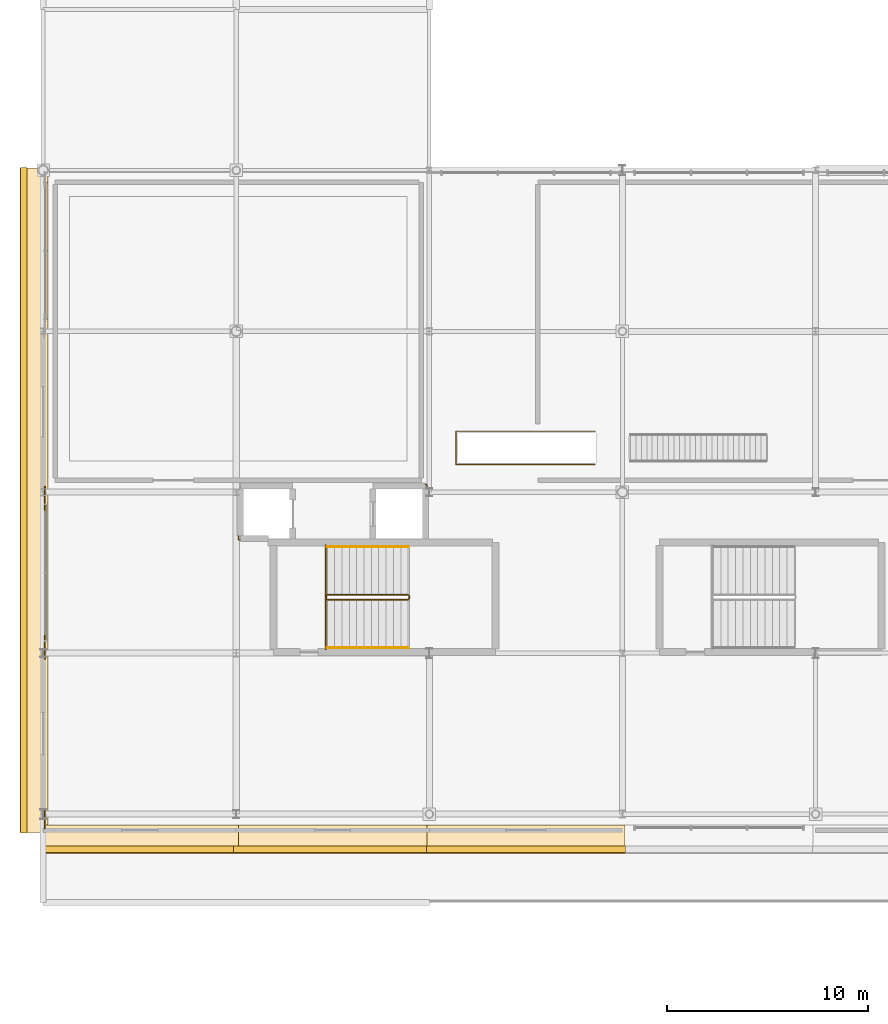
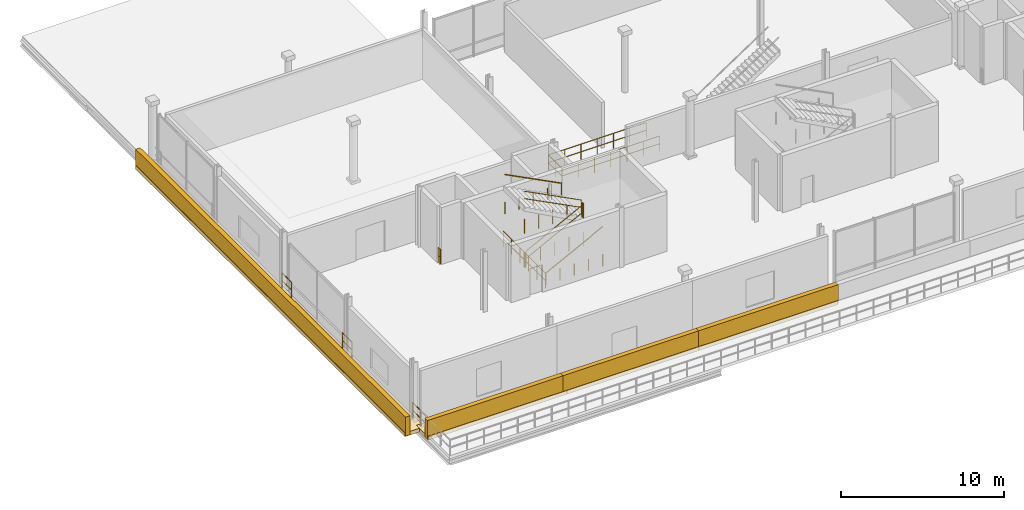
# One storey, part 29 of 36: 13 railings, 8 coverings.
"""IFC4 building model written with IfcOpenShell, lengths in metres."""

from ifc_helpers import new_model, si_unit, direction, frame, origin, origin_2d, place, context, subcontext, project, spatial, rectangle, circle, extrude, material, layer, layer_set, type_object, element, save


model = new_model("IFC4")

# Units and contexts
model_context = context("Model", 3, precision=1e-05, world=origin(), true_north=direction((0.0, 1.0)))
body_context = subcontext(model_context, "Body", "Model", "MODEL_VIEW")
ifc_project = project(units=[si_unit("LENGTHUNIT", "METRE"), si_unit("AREAUNIT", "SQUARE_METRE"), si_unit("VOLUMEUNIT", "CUBIC_METRE"), si_unit("PLANEANGLEUNIT", "RADIAN"), si_unit("MASSUNIT", "GRAM", prefix="KILO")], contexts=[model_context])

# Site, building, storey
site_placement = place(None, origin())
site = spatial("IfcSite", under=ifc_project, at=site_placement, CompositionType="ELEMENT")
building_placement = place(site_placement, origin())
building = spatial("IfcBuilding", under=site, at=building_placement, Name="Danafjord Basin Convention Centre", CompositionType="ELEMENT")
storey_placement = place(building_placement, frame((0.0, 0.0, 20.39990234375)))
storey = spatial("IfcBuildingStorey", under=building, at=storey_placement, Name="L04", CompositionType="ELEMENT", Elevation=20.39990234375)

# Coverings
ifc_material_1 = material(Name="Architectural white precast concrete C45/55", Category="concrete")
ifc_layer = layer(ifc_material_1, 0.320068359375)
ifc_layer_set = layer_set([ifc_layer], Name="Architectural white precast concrete C45/55")
covering_type = type_object("IfcCoveringType", Name="COV-BAND-HORIZ", PredefinedType="CLADDING", material=ifc_layer_set)
covering_1_placement = place(storey_placement, frame((4.800048828125, 6.75, -0.27978515625), z_axis=(0.0, 0.0, 1.0), x_axis=(1.0, 0.0, 0.0)))
element("IfcCovering", 1, at=covering_1_placement, inside=storey, type_object=covering_type, Name="L04 stepped horizontal band soffit plate 37", PredefinedType="CLADDING", context=body_context, shape_type="SweptSolid", body=[
    extrude(rectangle(XDim=9.840087890625, YDim=1.39990234375, at=origin_2d()), origin(), (0.0, 0.0, 1.0), 0.280029296875),
])
covering_2_placement = place(storey_placement, frame((4.800048828125, 6.239990234375, -0.23974609375), z_axis=(0.0, 0.0, 1.0), x_axis=(1.0, 0.0, 0.0)))
element("IfcCovering", 2, at=covering_2_placement, inside=storey, type_object=covering_type, Name="L04 layered horizontal white spandrel band 37", PredefinedType="CLADDING", context=body_context, shape_type="SweptSolid", body=[
    extrude(rectangle(XDim=9.8798828125, YDim=0.320068359375, at=origin_2d()), origin(), (0.0, 0.0, 1.0), 1.419921875),
])
covering_3_placement = place(storey_placement, frame((14.39990234375, 6.75, -0.27978515625), z_axis=(0.0, 0.0, 1.0), x_axis=(1.0, 0.0, 0.0)))
element("IfcCovering", 3, at=covering_3_placement, inside=storey, type_object=covering_type, Name="L04 stepped horizontal band soffit plate 38", PredefinedType="CLADDING", context=body_context, shape_type="SweptSolid", body=[
    extrude(rectangle(XDim=9.840087890625, YDim=1.39990234375, at=origin_2d()), origin(), (0.0, 0.0, 1.0), 0.280029296875),
])
covering_4_placement = place(storey_placement, frame((14.39990234375, 6.239990234375, -0.23974609375), z_axis=(0.0, 0.0, 1.0), x_axis=(1.0, 0.0, 0.0)))
element("IfcCovering", 4, at=covering_4_placement, inside=storey, type_object=covering_type, Name="L04 layered horizontal white spandrel band 38", PredefinedType="CLADDING", context=body_context, shape_type="SweptSolid", body=[
    extrude(rectangle(XDim=9.8798828125, YDim=0.320068359375, at=origin_2d()), origin(), (0.0, 0.0, 1.0), 1.419921875),
])
covering_5_placement = place(storey_placement, frame((24.0, 6.75, -0.27978515625), z_axis=(0.0, 0.0, 1.0), x_axis=(1.0, 0.0, 0.0)))
element("IfcCovering", 5, at=covering_5_placement, inside=storey, type_object=covering_type, Name="L04 stepped horizontal band soffit plate 39", PredefinedType="CLADDING", context=body_context, shape_type="SweptSolid", body=[
    extrude(rectangle(XDim=9.840087890625, YDim=1.39990234375, at=origin_2d()), origin(), (0.0, 0.0, 1.0), 0.280029296875),
])
covering_6_placement = place(storey_placement, frame((24.0, 6.239990234375, -0.23974609375), z_axis=(0.0, 0.0, 1.0), x_axis=(1.0, 0.0, 0.0)))
element("IfcCovering", 6, at=covering_6_placement, inside=storey, type_object=covering_type, Name="L04 layered horizontal white spandrel band 39", PredefinedType="CLADDING", context=body_context, shape_type="SweptSolid", body=[
    extrude(rectangle(XDim=9.8798828125, YDim=0.320068359375, at=origin_2d()), origin(), (0.0, 0.0, 1.0), 1.419921875),
])
covering_7_placement = place(storey_placement, frame((-0.449951171875, 23.60009765625, -0.27978515625), z_axis=(0.0, 0.0, 1.0), x_axis=(0.0, -1.0, 0.0)))
element("IfcCovering", 7, at=covering_7_placement, inside=storey, type_object=covering_type, Name="L04 stepped horizontal band soffit plate 48", PredefinedType="CLADDING", context=body_context, shape_type="SweptSolid", body=[
    extrude(rectangle(XDim=33.0400390625, YDim=1.39990234375, at=origin_2d()), origin(), (0.0, 0.0, 1.0), 0.280029296875),
])
covering_8_placement = place(storey_placement, frame((-0.9599609375, 23.60009765625, -0.23974609375), z_axis=(0.0, 0.0, 1.0), x_axis=(0.0, -1.0, 0.0)))
element("IfcCovering", 8, at=covering_8_placement, inside=storey, type_object=covering_type, Name="L04 layered horizontal white spandrel band 48", PredefinedType="CLADDING", context=body_context, shape_type="SweptSolid", body=[
    extrude(rectangle(XDim=33.080078125, YDim=0.320068359375, at=origin_2d()), origin(), (0.0, 0.0, 1.0), 1.419921875),
])

# Railings
ifc_material_2 = material(Name="Laminated structural glass and stainless steel", Category="steel")
railing_type_1 = type_object("IfcRailingType", Name="RL-BAL-GLS", PredefinedType="BALUSTRADE", material=ifc_material_2)
railing_1_placement = place(storey_placement, frame((0.080078125, 7.27490234375, 0.0)))
element("IfcRailing", 9, at=railing_1_placement, inside=storey, type_object=railing_type_1, Name="L04 safety guard balustrade 288", PredefinedType="BALUSTRADE", context=body_context, shape_type="SweptSolid", body=[
    extrude(circle(Radius=0.02392578125, at=origin_2d()), frame((0.0, 0.0, 1.1259765625), z_axis=(0.0, 1.0, 0.0), x_axis=(-1.0, 0.0, 0.0)), (0.0, 0.0, 1.0), 1.005126953125),
    extrude(circle(Radius=0.02392578125, at=origin_2d()), frame((0.0, 0.0, 0.55078125), z_axis=(0.0, 1.0, 0.0), x_axis=(-1.0, 0.0, 0.0)), (0.0, 0.0, 1.0), 1.005126953125),
    extrude(circle(Radius=0.02099609375, at=origin_2d()), origin(), (0.0, 0.0, 1.0), 1.099853515625),
    extrude(circle(Radius=0.02099609375, at=origin_2d()), frame((0.0, 1.005126953125, 0.0)), (0.0, 0.0, 1.0), 1.099853515625),
])
for number, where, name in (
    (10, (0.080078125, 15.719970703125, 0.0), "L04 safety guard balustrade 289"),
    (11, (0.080078125, 23.1201171875, 0.0), "L04 safety guard balustrade 290"),
):
    element("IfcRailing", number, at=place(storey_placement, frame(where)), inside=storey, type_object=railing_type_1, Name=name, PredefinedType="BALUSTRADE", context=body_context, shape_type="SweptSolid", body=[
        extrude(circle(Radius=0.02392578125, at=origin_2d()), frame((0.0, 0.0, 1.1259765625), z_axis=(0.0, 1.0, 0.0), x_axis=(-1.0, 0.0, 0.0)), (0.0, 0.0, 1.0), 1.159912109375),
        extrude(circle(Radius=0.02392578125, at=origin_2d()), frame((0.0, 0.0, 0.55078125), z_axis=(0.0, 1.0, 0.0), x_axis=(-1.0, 0.0, 0.0)), (0.0, 0.0, 1.0), 1.159912109375),
        extrude(circle(Radius=0.02099609375, at=origin_2d()), origin(), (0.0, 0.0, 1.0), 1.099853515625),
        extrude(circle(Radius=0.02099609375, at=origin_2d()), frame((0.0, 1.159912109375, 0.0)), (0.0, 0.0, 1.0), 1.099853515625),
    ])
railing_2_placement = place(storey_placement, frame((27.43505859375, 27.030029296875, 0.0)))
element("IfcRailing", 12, at=railing_2_placement, inside=storey, type_object=railing_type_1, Name="L04 safety guard balustrade 304", PredefinedType="BALUSTRADE", context=body_context, shape_type="SweptSolid", body=[
    extrude(circle(Radius=0.02392578125, at=origin_2d()), frame((0.0, 0.0, 1.1259765625), z_axis=(-1.0, 0.0, 0.0), x_axis=(0.0, -1.0, 0.0)), (0.0, 0.0, 1.0), 6.9150390625),
    extrude(circle(Radius=0.02392578125, at=origin_2d()), frame((0.0, 0.0, 0.55078125), z_axis=(-1.0, 0.0, 0.0), x_axis=(0.0, -1.0, 0.0)), (0.0, 0.0, 1.0), 6.9150390625),
    extrude(circle(Radius=0.02392578125, at=origin_2d()), frame((-6.9150390625, 0.0, 1.1259765625), z_axis=(0.0, -1.0, 0.0), x_axis=(1.0, 0.0, 0.0)), (0.0, 0.0, 1.0), 1.659912109375),
    extrude(circle(Radius=0.02392578125, at=origin_2d()), frame((-6.9150390625, 0.0, 0.55078125), z_axis=(0.0, -1.0, 0.0), x_axis=(1.0, 0.0, 0.0)), (0.0, 0.0, 1.0), 1.659912109375),
    extrude(circle(Radius=0.02392578125, at=origin_2d()), frame((-6.9150390625, -1.659912109375, 1.1259765625), z_axis=(1.0, 0.0, 0.0), x_axis=(0.0, 1.0, 0.0)), (0.0, 0.0, 1.0), 6.9150390625),
    extrude(circle(Radius=0.02392578125, at=origin_2d()), frame((-6.9150390625, -1.659912109375, 0.55078125), z_axis=(1.0, 0.0, 0.0), x_axis=(0.0, 1.0, 0.0)), (0.0, 0.0, 1.0), 6.9150390625),
    extrude(circle(Radius=0.02099609375, at=origin_2d()), origin(), (0.0, 0.0, 1.0), 1.099853515625),
    extrude(circle(Radius=0.02099609375, at=origin_2d()), frame((-1.152587890625, 0.0, 0.0)), (0.0, 0.0, 1.0), 1.099853515625),
    extrude(circle(Radius=0.02099609375, at=origin_2d()), frame((-2.304931640625, 0.0, 0.0)), (0.0, 0.0, 1.0), 1.099853515625),
    extrude(circle(Radius=0.02099609375, at=origin_2d()), frame((-3.45751953125, 0.0, 0.0)), (0.0, 0.0, 1.0), 1.099853515625),
    extrude(circle(Radius=0.02099609375, at=origin_2d()), frame((-4.610107421875, 0.0, 0.0)), (0.0, 0.0, 1.0), 1.099853515625),
    extrude(circle(Radius=0.02099609375, at=origin_2d()), frame((-5.762451171875, 0.0, 0.0)), (0.0, 0.0, 1.0), 1.099853515625),
    extrude(circle(Radius=0.02099609375, at=origin_2d()), frame((-6.9150390625, 0.0, 0.0)), (0.0, 0.0, 1.0), 1.099853515625),
    extrude(circle(Radius=0.02099609375, at=origin_2d()), frame((-6.9150390625, -0.830078125, 0.0)), (0.0, 0.0, 1.0), 1.099853515625),
    extrude(circle(Radius=0.02099609375, at=origin_2d()), frame((-6.9150390625, -1.659912109375, 0.0)), (0.0, 0.0, 1.0), 1.099853515625),
    extrude(circle(Radius=0.02099609375, at=origin_2d()), frame((-5.762451171875, -1.659912109375, 0.0)), (0.0, 0.0, 1.0), 1.099853515625),
    extrude(circle(Radius=0.02099609375, at=origin_2d()), frame((-4.610107421875, -1.659912109375, 0.0)), (0.0, 0.0, 1.0), 1.099853515625),
    extrude(circle(Radius=0.02099609375, at=origin_2d()), frame((-3.45751953125, -1.659912109375, 0.0)), (0.0, 0.0, 1.0), 1.099853515625),
    extrude(circle(Radius=0.02099609375, at=origin_2d()), frame((-2.304931640625, -1.659912109375, 0.0)), (0.0, 0.0, 1.0), 1.099853515625),
    extrude(circle(Radius=0.02099609375, at=origin_2d()), frame((-1.152587890625, -1.659912109375, 0.0)), (0.0, 0.0, 1.0), 1.099853515625),
    extrude(circle(Radius=0.02099609375, at=origin_2d()), frame((0.0, -1.659912109375, 0.0)), (0.0, 0.0, 1.0), 1.099853515625),
])
railing_3_placement = place(storey_placement, frame((19.080078125, 24.1650390625, 0.0)))
element("IfcRailing", 13, at=railing_3_placement, inside=storey, type_object=railing_type_1, Name="L04 safety guard balustrade 306", PredefinedType="BALUSTRADE", context=body_context, shape_type="SweptSolid", body=[
    extrude(circle(Radius=0.02392578125, at=origin_2d()), frame((0.0, 0.0, 1.1259765625), z_axis=(0.0, 1.0, 0.0), x_axis=(-1.0, 0.0, 0.0)), (0.0, 0.0, 1.0), 0.21484375),
    extrude(circle(Radius=0.02392578125, at=origin_2d()), frame((0.0, 0.0, 0.55078125), z_axis=(0.0, 1.0, 0.0), x_axis=(-1.0, 0.0, 0.0)), (0.0, 0.0, 1.0), 0.21484375),
    extrude(circle(Radius=0.02392578125, at=origin_2d()), frame((0.0, 0.21484375, 1.1259765625), z_axis=(-1.0, 0.0, 0.0), x_axis=(0.0, -1.0, 0.0)), (0.0, 0.0, 1.0), 0.080078125),
    extrude(circle(Radius=0.02392578125, at=origin_2d()), frame((0.0, 0.21484375, 0.55078125), z_axis=(-1.0, 0.0, 0.0), x_axis=(0.0, -1.0, 0.0)), (0.0, 0.0, 1.0), 0.080078125),
    extrude(circle(Radius=0.02099609375, at=origin_2d()), origin(), (0.0, 0.0, 1.0), 1.099853515625),
    extrude(circle(Radius=0.02099609375, at=origin_2d()), frame((0.0, 0.21484375, 0.0)), (0.0, 0.0, 1.0), 1.099853515625),
    extrude(circle(Radius=0.02099609375, at=origin_2d()), frame((-0.080078125, 0.21484375, 0.0)), (0.0, 0.0, 1.0), 1.099853515625),
])
ifc_material_3 = material(Name="Galvanised and powder-coated steel S355", Category="steel")
railing_type_2 = type_object("IfcRailingType", Name="RL-BAL-STL", PredefinedType="BALUSTRADE", material=ifc_material_3)
railing_4_placement = place(storey_placement, frame((14.050048828125, 21.375, 0.0)))
element("IfcRailing", 14, at=railing_4_placement, inside=storey, type_object=railing_type_2, Name="L04 safety guard balustrade 305", PredefinedType="BALUSTRADE", context=body_context, shape_type="SweptSolid", body=[
    extrude(circle(Radius=0.02392578125, at=origin_2d()), frame((0.0, 0.0, 1.1259765625), z_axis=(0.0, -1.0, 0.0), x_axis=(1.0, 0.0, 0.0)), (0.0, 0.0, 1.0), 5.18994140625),
    extrude(circle(Radius=0.02392578125, at=origin_2d()), frame((0.0, 0.0, 0.55078125), z_axis=(0.0, -1.0, 0.0), x_axis=(1.0, 0.0, 0.0)), (0.0, 0.0, 1.0), 5.18994140625),
    extrude(circle(Radius=0.02099609375, at=origin_2d()), origin(), (0.0, 0.0, 1.0), 1.099853515625),
    extrude(circle(Radius=0.02099609375, at=origin_2d()), frame((0.0, -1.0380859375, 0.0)), (0.0, 0.0, 1.0), 1.099853515625),
    extrude(circle(Radius=0.02099609375, at=origin_2d()), frame((0.0, -2.075927734375, 0.0)), (0.0, 0.0, 1.0), 1.099853515625),
    extrude(circle(Radius=0.02099609375, at=origin_2d()), frame((0.0, -3.114013671875, 0.0)), (0.0, 0.0, 1.0), 1.099853515625),
    extrude(circle(Radius=0.02099609375, at=origin_2d()), frame((0.0, -4.15185546875, 0.0)), (0.0, 0.0, 1.0), 1.099853515625),
    extrude(circle(Radius=0.02099609375, at=origin_2d()), frame((0.0, -5.18994140625, 0.0)), (0.0, 0.0, 1.0), 1.099853515625),
])
railing_5_placement = place(storey_placement, frame((9.719970703125, 21.8349609375, 0.0)))
element("IfcRailing", 15, at=railing_5_placement, inside=storey, type_object=railing_type_2, Name="L04 safety guard balustrade 307", PredefinedType="BALUSTRADE", context=body_context, shape_type="SweptSolid", body=[
    extrude(circle(Radius=0.02392578125, at=origin_2d()), frame((0.0, 0.0, 1.1259765625), z_axis=(0.0, -1.0, 0.0), x_axis=(1.0, 0.0, 0.0)), (0.0, 0.0, 1.0), 0.21484375),
    extrude(circle(Radius=0.02392578125, at=origin_2d()), frame((0.0, 0.0, 0.55078125), z_axis=(0.0, -1.0, 0.0), x_axis=(1.0, 0.0, 0.0)), (0.0, 0.0, 1.0), 0.21484375),
    extrude(circle(Radius=0.02392578125, at=origin_2d()), frame((0.0, -0.21484375, 1.1259765625), z_axis=(1.0, 0.0, 0.0), x_axis=(0.0, 1.0, 0.0)), (0.0, 0.0, 1.0), 0.080078125),
    extrude(circle(Radius=0.02392578125, at=origin_2d()), frame((0.0, -0.21484375, 0.55078125), z_axis=(1.0, 0.0, 0.0), x_axis=(0.0, 1.0, 0.0)), (0.0, 0.0, 1.0), 0.080078125),
    extrude(circle(Radius=0.02099609375, at=origin_2d()), origin(), (0.0, 0.0, 1.0), 1.099853515625),
    extrude(circle(Radius=0.02099609375, at=origin_2d()), frame((0.0, -0.21484375, 0.0)), (0.0, 0.0, 1.0), 1.099853515625),
    extrude(circle(Radius=0.02099609375, at=origin_2d()), frame((0.080078125, -0.21484375, 0.0)), (0.0, 0.0, 1.0), 1.099853515625),
])
ifc_material_4 = material(Name="Galvanised steel S355", Category="steel")
railing_type_3 = type_object("IfcRailingType", Name="RL-GD-WELL", PredefinedType="BALUSTRADE", material=ifc_material_4)
railing_6_placement = place(storey_placement, frame((14.1298828125, 18.659912109375, 0.1875)))
element("IfcRailing", 16, at=railing_6_placement, inside=storey, type_object=railing_type_3, Name="L04 ST-01 stair guard 1", PredefinedType="BALUSTRADE", context=body_context, shape_type="SweptSolid", body=[
    extrude(circle(Radius=0.02392578125, at=origin_2d()), frame((0.0, 0.0, 1.076171875), z_axis=(0.889506420944, 0.0, 0.45692267081), x_axis=(0.0, 1.0, 0.0)), (0.0, 0.0, 1.0), 4.513916015625),
    extrude(circle(Radius=0.02392578125, at=origin_2d()), frame((0.0, 0.0, 0.52587890625), z_axis=(0.889506420944, 0.0, 0.45692267081), x_axis=(0.0, 1.0, 0.0)), (0.0, 0.0, 1.0), 4.513916015625),
    extrude(circle(Radius=0.02099609375, at=origin_2d()), origin(), (0.0, 0.0, 1.0), 1.050048828125),
    extrude(circle(Radius=0.02099609375, at=origin_2d()), frame((1.00390625, 0.0, 0.0)), (0.0, 0.0, 1.0), 1.050048828125),
    extrude(circle(Radius=0.02099609375, at=origin_2d()), frame((2.007568359375, 0.0, 0.0)), (0.0, 0.0, 1.0), 1.050048828125),
    extrude(circle(Radius=0.02099609375, at=origin_2d()), frame((3.01123046875, 0.0, 0.0)), (0.0, 0.0, 1.0), 1.050048828125),
    extrude(circle(Radius=0.02099609375, at=origin_2d()), frame((4.01513671875, 0.0, 0.0)), (0.0, 0.0, 1.0), 1.050048828125),
])
railing_7_placement = place(storey_placement, frame((18.195068359375, 18.7099609375, 2.25)))
element("IfcRailing", 17, at=railing_7_placement, inside=storey, type_object=railing_type_3, Name="L04 ST-01 stair guard 2", PredefinedType="BALUSTRADE", context=body_context, shape_type="SweptSolid", body=[
    extrude(circle(Radius=0.02392578125, at=origin_2d()), frame((0.0, 0.0, 1.076171875), z_axis=(0.0, 1.0, 0.0), x_axis=(-1.0, 0.0, 0.0)), (0.0, 0.0, 1.0), 0.14013671875),
    extrude(circle(Radius=0.02392578125, at=origin_2d()), frame((0.0, 0.0, 0.52587890625), z_axis=(0.0, 1.0, 0.0), x_axis=(-1.0, 0.0, 0.0)), (0.0, 0.0, 1.0), 0.14013671875),
    extrude(circle(Radius=0.02099609375, at=origin_2d()), origin(), (0.0, 0.0, 1.0), 1.050048828125),
    extrude(circle(Radius=0.02099609375, at=origin_2d()), frame((0.0, 0.14013671875, 0.0)), (0.0, 0.0, 1.0), 1.050048828125),
])
railing_8_placement = place(storey_placement, frame((18.14501953125, 18.89990234375, 2.4375)))
element("IfcRailing", 18, at=railing_8_placement, inside=storey, type_object=railing_type_3, Name="L04 ST-01 stair guard 3", PredefinedType="BALUSTRADE", context=body_context, shape_type="SweptSolid", body=[
    extrude(circle(Radius=0.02392578125, at=origin_2d()), frame((0.0, 0.0, 1.076171875), z_axis=(-0.889506420944, 0.0, 0.45692267081), x_axis=(0.0, -1.0, 0.0)), (0.0, 0.0, 1.0), 4.513916015625),
    extrude(circle(Radius=0.02392578125, at=origin_2d()), frame((0.0, 0.0, 0.52587890625), z_axis=(-0.889506420944, 0.0, 0.45692267081), x_axis=(0.0, -1.0, 0.0)), (0.0, 0.0, 1.0), 4.513916015625),
    extrude(circle(Radius=0.02099609375, at=origin_2d()), origin(), (0.0, 0.0, 1.0), 1.050048828125),
    extrude(circle(Radius=0.02099609375, at=origin_2d()), frame((-1.00390625, 0.0, 0.0)), (0.0, 0.0, 1.0), 1.050048828125),
    extrude(circle(Radius=0.02099609375, at=origin_2d()), frame((-2.007568359375, 0.0, 0.0)), (0.0, 0.0, 1.0), 1.050048828125),
    extrude(circle(Radius=0.02099609375, at=origin_2d()), frame((-3.01123046875, 0.0, 0.0)), (0.0, 0.0, 1.0), 1.050048828125),
    extrude(circle(Radius=0.02099609375, at=origin_2d()), frame((-4.01513671875, 0.0, 0.0)), (0.0, 0.0, 1.0), 1.050048828125),
])
railing_9_placement = place(storey_placement, frame((14.080078125, 18.7099609375, 0.0)))
element("IfcRailing", 19, at=railing_9_placement, inside=storey, type_object=railing_type_3, Name="L04 ST-01 stair guard 4", PredefinedType="BALUSTRADE", context=body_context, shape_type="SweptSolid", body=[
    extrude(circle(Radius=0.02392578125, at=origin_2d()), frame((0.0, 0.0, 1.076171875), z_axis=(0.0, 1.0, 0.0), x_axis=(-1.0, 0.0, 0.0)), (0.0, 0.0, 1.0), 0.14013671875),
    extrude(circle(Radius=0.02392578125, at=origin_2d()), frame((0.0, 0.0, 0.52587890625), z_axis=(0.0, 1.0, 0.0), x_axis=(-1.0, 0.0, 0.0)), (0.0, 0.0, 1.0), 0.14013671875),
    extrude(circle(Radius=0.02099609375, at=origin_2d()), origin(), (0.0, 0.0, 1.0), 1.050048828125),
    extrude(circle(Radius=0.02099609375, at=origin_2d()), frame((0.0, 0.14013671875, 0.0)), (0.0, 0.0, 1.0), 1.050048828125),
])
ifc_material_5 = material(Name="Brushed stainless steel EN 1.4404", Category="steel")
railing_type_4 = type_object("IfcRailingType", Name="RL-HR-STAIR", PredefinedType="HANDRAIL", material=ifc_material_5)
railing_10_placement = place(storey_placement, frame((14.1298828125, 16.260009765625, 0.1875)))
element("IfcRailing", 20, at=railing_10_placement, inside=storey, type_object=railing_type_4, Name="L04 ST-01 stair handrail 1", PredefinedType="HANDRAIL", context=body_context, shape_type="SweptSolid", body=[
    extrude(circle(Radius=0.02392578125, at=origin_2d()), frame((0.0, 0.0, 0.8759765625), z_axis=(0.889506420944, 0.0, 0.45692267081), x_axis=(0.0, 1.0, 0.0)), (0.0, 0.0, 1.0), 4.513916015625),
    extrude(circle(Radius=0.02099609375, at=origin_2d()), origin(), (0.0, 0.0, 1.0), 0.849853515625),
    extrude(circle(Radius=0.02099609375, at=origin_2d()), frame((1.00390625, 0.0, 0.0)), (0.0, 0.0, 1.0), 0.849853515625),
    extrude(circle(Radius=0.02099609375, at=origin_2d()), frame((2.007568359375, 0.0, 0.0)), (0.0, 0.0, 1.0), 0.849853515625),
    extrude(circle(Radius=0.02099609375, at=origin_2d()), frame((3.01123046875, 0.0, 0.0)), (0.0, 0.0, 1.0), 0.849853515625),
    extrude(circle(Radius=0.02099609375, at=origin_2d()), frame((4.01513671875, 0.0, 0.0)), (0.0, 0.0, 1.0), 0.849853515625),
])
railing_11_placement = place(storey_placement, frame((18.14501953125, 21.300048828125, 2.4375)))
element("IfcRailing", 21, at=railing_11_placement, inside=storey, type_object=railing_type_4, Name="L04 ST-01 stair handrail 2", PredefinedType="HANDRAIL", context=body_context, shape_type="SweptSolid", body=[
    extrude(circle(Radius=0.02392578125, at=origin_2d()), frame((0.0, 0.0, 0.8759765625), z_axis=(-0.889506420944, 0.0, 0.45692267081), x_axis=(0.0, -1.0, 0.0)), (0.0, 0.0, 1.0), 4.513916015625),
    extrude(circle(Radius=0.02099609375, at=origin_2d()), origin(), (0.0, 0.0, 1.0), 0.849853515625),
    extrude(circle(Radius=0.02099609375, at=origin_2d()), frame((-1.00390625, 0.0, 0.0)), (0.0, 0.0, 1.0), 0.849853515625),
    extrude(circle(Radius=0.02099609375, at=origin_2d()), frame((-2.007568359375, 0.0, 0.0)), (0.0, 0.0, 1.0), 0.849853515625),
    extrude(circle(Radius=0.02099609375, at=origin_2d()), frame((-3.01123046875, 0.0, 0.0)), (0.0, 0.0, 1.0), 0.849853515625),
    extrude(circle(Radius=0.02099609375, at=origin_2d()), frame((-4.01513671875, 0.0, 0.0)), (0.0, 0.0, 1.0), 0.849853515625),
])

save(model, "model.ifc")
